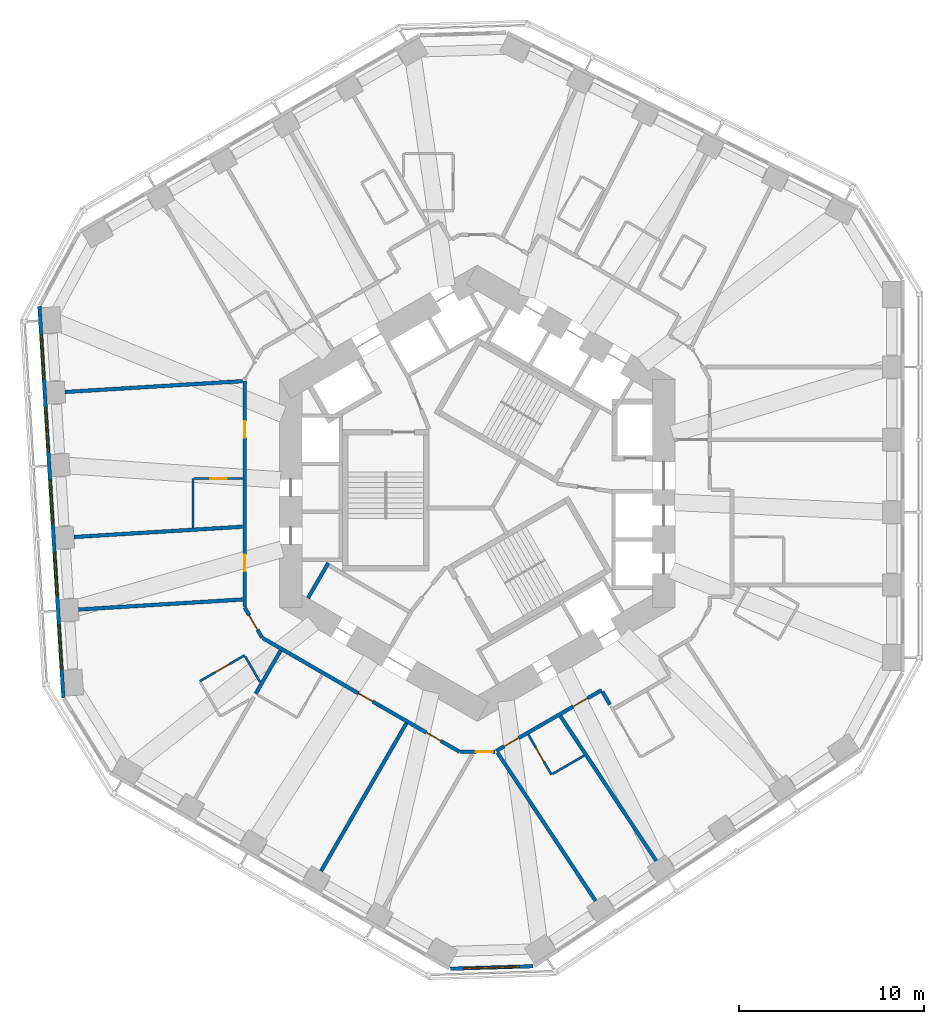
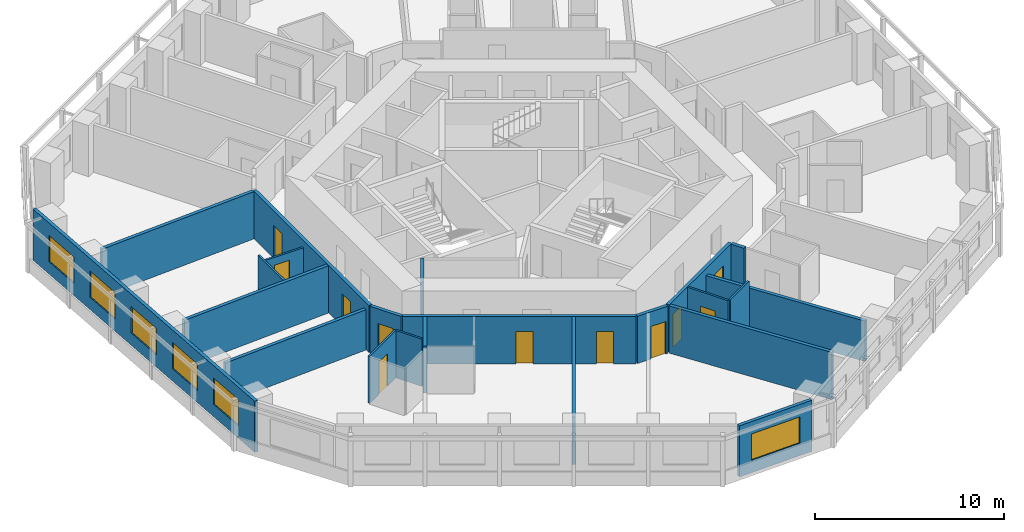
# One storey, part 4 of 12: 22 walls, 11 doors, 6 windows, 17 openings.
"""IFC4 building model written with IfcOpenShell, lengths in metres."""

from ifc_helpers import new_model, si_unit, direction, frame, frame_2d, origin, place, context, subcontext, project, spatial, rectangle, extrude, material, layer, layer_set, type_object, element, fill, save


model = new_model("IFC4")

# Units and contexts
model_context = context("Model", 3, precision=1e-05, world=origin(), true_north=direction((0.0, 1.0)))
body_context = subcontext(model_context, "Body", "Model", "MODEL_VIEW")
ifc_project = project(units=[si_unit("LENGTHUNIT", "METRE"), si_unit("AREAUNIT", "SQUARE_METRE"), si_unit("VOLUMEUNIT", "CUBIC_METRE"), si_unit("PLANEANGLEUNIT", "RADIAN"), si_unit("MASSUNIT", "GRAM", prefix="KILO")], contexts=[model_context])

# Site, building, storey
site_placement = place(None, origin())
site = spatial("IfcSite", under=ifc_project, at=site_placement, CompositionType="ELEMENT")
building_placement = place(site_placement, origin())
building = spatial("IfcBuilding", under=site, at=building_placement, Name="Vanh Sen Convention Tower", CompositionType="ELEMENT")
storey_placement = place(building_placement, frame((0.0, 0.0, 63.800048828125)))
storey = spatial("IfcBuildingStorey", under=building, at=storey_placement, Name="L13", CompositionType="ELEMENT", Elevation=63.800048828125)

# Wall
ifc_material_1 = material(Name="Moisture-resistant gypsum board on steel studs", Category="steel")
ifc_layer_1 = layer(ifc_material_1, 0.1201171875)
ifc_layer_set_1 = layer_set([ifc_layer_1], Name="Moisture-resistant gypsum board on steel studs")
wall_type_1 = type_object("IfcWallType", Name="Bathroom partition 120", PredefinedType="PARTITIONING", material=ifc_layer_set_1)
wall_1_placement = place(storey_placement, frame((-15.39990234375, -1.873779296875, 0.0), z_axis=(0.0, 0.0, 1.0), x_axis=(0.0, 1.0, 0.0)))
element("IfcWall", 1, at=wall_1_placement, inside=storey, type_object=wall_type_1, Name="Bathroom partition 120", PredefinedType="PARTITIONING", context=body_context, shape_type="SweptSolid", body=[
    extrude(rectangle(XDim=2.671142578125, YDim=0.1201171875, at=frame_2d((1.33544921875, 0.0))), origin(), (0.0, 0.0, 1.0), 3.050048828125),
])

# Wall, opening, door
wall_2_placement = place(storey_placement, frame((-15.340087890625, 0.79736328125, 0.0), z_axis=(0.0, 0.0, 1.0), x_axis=(1.0, 0.0, 0.0)))
wall_2 = element("IfcWall", 2, at=wall_2_placement, inside=storey, type_object=wall_type_1, Name="Bathroom partition 120", PredefinedType="PARTITIONING", context=body_context, shape_type="SweptSolid", body=[
    extrude(rectangle(XDim=2.64013671875, YDim=0.1201171875, at=frame_2d((1.320068359375, 0.0))), origin(), (0.0, 0.0, 1.0), 2.599853515625),
])
opening_1_placement = place(wall_2_placement, frame((0.8701171875, 0.0, 0.0)))
opening_1 = element("IfcOpeningElement", 3, at=opening_1_placement, cuts=wall_2, Name="Opening D13120", PredefinedType="OPENING", context=body_context, shape_type="SweptSolid", body=[
    extrude(rectangle(XDim=0.89990234375, YDim=2.10009765625, at=frame_2d((0.449951171875, 1.050048828125))), frame((0.0, 0.070068359375, 0.0), z_axis=(0.0, -1.0, 0.0), x_axis=(1.0, 0.0, 0.0)), (0.0, 0.0, 1.0), 0.14013671875),
])
ifc_material_2 = material(Name="Laminate door in steel frame", Category="steel")
door_type_1 = type_object("IfcDoorType", Name="En-suite door 900", OperationType="SINGLE_SWING_LEFT", PredefinedType="DOOR", material=ifc_material_2)
door_1_placement = place(opening_1_placement, origin())
door_1 = element("IfcDoor", 4, at=door_1_placement, inside=storey, type_object=door_type_1, Name="En-suite door D13120", OperationType="SINGLE_SWING_LEFT", OverallHeight=2.10009765625, OverallWidth=0.89990234375, PredefinedType="DOOR", context=body_context, shape_type="SweptSolid", body=[
    extrude(rectangle(XDim=0.89990234375, YDim=2.10009765625, at=frame_2d((0.449951171875, 1.050048828125))), frame((0.0, 0.02490234375, 0.0), z_axis=(0.0, -1.0, 0.0), x_axis=(1.0, 0.0, 0.0)), (0.0, 0.0, 1.0), 0.050048828125),
])
fill(opening_1, door_1)

wall_3_placement = place(storey_placement, frame((-15.025634765625, -10.17626953125, 0.0), z_axis=(0.0, 0.0, 1.0), x_axis=(0.865996816683, 0.500049511043, 0.0)))
wall_3 = element("IfcWall", 5, at=wall_3_placement, inside=storey, type_object=wall_type_1, Name="Bathroom partition 120", PredefinedType="PARTITIONING", context=body_context, shape_type="SweptSolid", body=[
    extrude(rectangle(XDim=2.800048828125, YDim=0.1201171875, at=frame_2d((1.39990234375, 0.0))), origin(), (0.0, 0.0, 1.0), 3.050048828125),
])
opening_2_placement = place(wall_3_placement, frame((0.949951171875, 0.0, 0.0)))
opening_2 = element("IfcOpeningElement", 6, at=opening_2_placement, cuts=wall_3, Name="Opening D13123", PredefinedType="OPENING", context=body_context, shape_type="SweptSolid", body=[
    extrude(rectangle(XDim=0.89990234375, YDim=2.10009765625, at=frame_2d((0.449951171875, 1.050048828125))), frame((0.0, 0.070068359375, 0.0), z_axis=(0.0, -1.0, 0.0), x_axis=(1.0, 0.0, 0.0)), (0.0, 0.0, 1.0), 0.14013671875),
])
door_2_placement = place(opening_2_placement, origin())
door_2 = element("IfcDoor", 7, at=door_2_placement, inside=storey, type_object=door_type_1, Name="En-suite door D13123", OperationType="SINGLE_SWING_LEFT", OverallHeight=2.10009765625, OverallWidth=0.89990234375, PredefinedType="DOOR", context=body_context, shape_type="SweptSolid", body=[
    extrude(rectangle(XDim=0.89990234375, YDim=2.10009765625, at=frame_2d((0.449951171875, 1.050048828125))), frame((0.0, 0.02490234375, 0.0), z_axis=(0.0, -1.0, 0.0), x_axis=(1.0, 0.0, 0.0)), (0.0, 0.0, 1.0), 0.050048828125),
])
fill(opening_2, door_2)

# Wall
wall_4_placement = place(storey_placement, frame((-12.57080078125, -8.828125, 0.0), z_axis=(0.0, 0.0, 1.0), x_axis=(0.499960029081, -0.866048479775, 0.0)))
element("IfcWall", 8, at=wall_4_placement, inside=storey, type_object=wall_type_1, Name="Bathroom partition 120", PredefinedType="PARTITIONING", context=body_context, shape_type="SweptSolid", body=[
    extrude(rectangle(XDim=1.601318359375, YDim=0.1201171875, at=frame_2d((0.80078125, 0.0))), origin(), (0.0, 0.0, 1.0), 3.050048828125),
])

# Wall, opening, door
wall_5_placement = place(storey_placement, frame((4.01513671875, -15.2333984375, 0.0), z_axis=(0.0, 0.0, 1.0), x_axis=(-0.499961950354, 0.866047370643, 0.0)))
wall_5 = element("IfcWall", 9, at=wall_5_placement, inside=storey, type_object=wall_type_1, Name="Bathroom partition 120", PredefinedType="PARTITIONING", context=body_context, shape_type="SweptSolid", body=[
    extrude(rectangle(XDim=2.500244140625, YDim=0.1201171875, at=frame_2d((1.25, 0.0))), origin(), (0.0, 0.0, 1.0), 3.050048828125),
])
opening_3_placement = place(wall_5_placement, frame((0.800048828125, 0.0, 0.0)))
opening_3 = element("IfcOpeningElement", 10, at=opening_3_placement, cuts=wall_5, Name="Opening D13129", PredefinedType="OPENING", context=body_context, shape_type="SweptSolid", body=[
    extrude(rectangle(XDim=0.89990234375, YDim=2.10009765625, at=frame_2d((0.449951171875, 1.050048828125))), frame((0.0, 0.070068359375, 0.0), z_axis=(0.0, -1.0, 0.0), x_axis=(1.0, 0.0, 0.0)), (0.0, 0.0, 1.0), 0.14013671875),
])
door_3_placement = place(opening_3_placement, origin())
door_3 = element("IfcDoor", 11, at=door_3_placement, inside=storey, type_object=door_type_1, Name="En-suite door D13129", OperationType="SINGLE_SWING_LEFT", OverallHeight=2.10009765625, OverallWidth=0.89990234375, PredefinedType="DOOR", context=body_context, shape_type="SweptSolid", body=[
    extrude(rectangle(XDim=0.89990234375, YDim=2.10009765625, at=frame_2d((0.449951171875, 1.050048828125))), frame((0.0, 0.02490234375, 0.0), z_axis=(0.0, -1.0, 0.0), x_axis=(1.0, 0.0, 0.0)), (0.0, 0.0, 1.0), 0.050048828125),
])
fill(opening_3, door_3)

# Wall
wall_6_placement = place(storey_placement, frame((5.79833984375, -14.20361328125, 0.0), z_axis=(0.0, 0.0, 1.0), x_axis=(-0.865972029493, -0.500092435591, 0.0)))
element("IfcWall", 12, at=wall_6_placement, inside=storey, type_object=wall_type_1, Name="Bathroom partition 120", PredefinedType="PARTITIONING", context=body_context, shape_type="SweptSolid", body=[
    extrude(rectangle(XDim=1.9990234375, YDim=0.1201171875, at=frame_2d((0.99951171875, 0.0))), origin(), (0.0, 0.0, 1.0), 3.050048828125),
])

# Wall, opening, door
ifc_material_3 = material(Name="Gypsum board on steel studs with mineral wool", Category="steel")
ifc_layer_2 = layer(ifc_material_3, 0.199951171875)
ifc_layer_set_2 = layer_set([ifc_layer_2], Name="Gypsum board on steel studs with mineral wool")
wall_type_2 = type_object("IfcWallType", Name="Corridor partition wall 200", PredefinedType="PARTITIONING", material=ifc_layer_set_2)
wall_7_placement = place(storey_placement, frame((-12.60009765625, -6.177490234375, 0.0), z_axis=(0.0, 0.0, 1.0), x_axis=(0.500063520245, -0.865988727248, 0.0)))
wall_7 = element("IfcWall", 13, at=wall_7_placement, inside=storey, type_object=wall_type_2, Name="Corridor partition wall 200", PredefinedType="PARTITIONING", context=body_context, shape_type="SweptSolid", body=[
    extrude(rectangle(XDim=1.900146484375, YDim=0.199951171875, at=frame_2d((0.9501953125, 0.0))), origin(), (0.0, 0.0, 1.0), 3.050048828125),
])
opening_4_placement = place(wall_7_placement, frame((0.5, 0.0, 0.0)))
opening_4 = element("IfcOpeningElement", 14, at=opening_4_placement, cuts=wall_7, Name="Opening D13122", PredefinedType="OPENING", context=body_context, shape_type="SweptSolid", body=[
    extrude(rectangle(XDim=0.89990234375, YDim=2.10009765625, at=frame_2d((0.449951171875, 1.050048828125))), frame((0.0, 0.10986328125, 0.0), z_axis=(0.0, -1.0, 0.0), x_axis=(1.0, 0.0, 0.0)), (0.0, 0.0, 1.0), 0.219970703125),
])
ifc_material_4 = material(Name="Timber fire door in steel frame", Category="steel")
door_type_2 = type_object("IfcDoorType", Name="Guest room door 900", OperationType="SINGLE_SWING_LEFT", PredefinedType="DOOR", material=ifc_material_4)
door_4_placement = place(opening_4_placement, origin())
door_4 = element("IfcDoor", 15, at=door_4_placement, inside=storey, type_object=door_type_2, Name="Hotel guest room door D13122", OperationType="SINGLE_SWING_LEFT", OverallHeight=2.10009765625, OverallWidth=0.89990234375, PredefinedType="DOOR", context=body_context, shape_type="SweptSolid", body=[
    extrude(rectangle(XDim=0.89990234375, YDim=2.10009765625, at=frame_2d((0.449951171875, 1.050048828125))), frame((0.0, 0.02490234375, 0.0), z_axis=(0.0, -1.0, 0.0), x_axis=(1.0, 0.0, 0.0)), (0.0, 0.0, 1.0), 0.050048828125),
])
fill(opening_4, door_4)

# Wall, openings, doors
wall_8_placement = place(storey_placement, frame((-12.60009765625, 6.081298828125, 0.0), z_axis=(0.0, 0.0, 1.0), x_axis=(0.0, -1.0, 0.0)))
wall_8 = element("IfcWall", 16, at=wall_8_placement, inside=storey, type_object=wall_type_2, Name="Corridor partition wall 200", PredefinedType="PARTITIONING", context=body_context, shape_type="SweptSolid", body=[
    extrude(rectangle(XDim=12.218994140625, YDim=0.199951171875, at=frame_2d((6.109375, 0.0))), origin(), (0.0, 0.0, 1.0), 3.050048828125),
])
opening_5_placement = place(wall_8_placement, frame((2.1669921875, 0.0, 0.0)))
opening_5 = element("IfcOpeningElement", 17, at=opening_5_placement, cuts=wall_8, Name="Opening D13119", PredefinedType="OPENING", context=body_context, shape_type="SweptSolid", body=[
    extrude(rectangle(XDim=0.89990234375, YDim=2.10009765625, at=frame_2d((0.449951171875, 1.050048828125))), frame((0.0, 0.10986328125, 0.0), z_axis=(0.0, -1.0, 0.0), x_axis=(1.0, 0.0, 0.0)), (0.0, 0.0, 1.0), 0.219970703125),
])
opening_6_placement = place(wall_8_placement, frame((9.40478515625, 0.0, 0.0)))
opening_6 = element("IfcOpeningElement", 18, at=opening_6_placement, cuts=wall_8, Name="Opening D13121", PredefinedType="OPENING", context=body_context, shape_type="SweptSolid", body=[
    extrude(rectangle(XDim=0.89990234375, YDim=2.10009765625, at=frame_2d((0.449951171875, 1.050048828125))), frame((0.0, 0.10986328125, 0.0), z_axis=(0.0, -1.0, 0.0), x_axis=(1.0, 0.0, 0.0)), (0.0, 0.0, 1.0), 0.219970703125),
])
door_type_3 = type_object("IfcDoorType", Name="Floor service door 900", OperationType="SINGLE_SWING_LEFT", PredefinedType="DOOR", material=ifc_material_4)
door_5_placement = place(opening_6_placement, origin())
door_5 = element("IfcDoor", 19, at=door_5_placement, inside=storey, type_object=door_type_3, Name="Service room door D13121", OperationType="SINGLE_SWING_LEFT", OverallHeight=2.10009765625, OverallWidth=0.89990234375, PredefinedType="DOOR", context=body_context, shape_type="SweptSolid", body=[
    extrude(rectangle(XDim=0.89990234375, YDim=2.10009765625, at=frame_2d((0.449951171875, 1.050048828125))), frame((0.0, 0.02490234375, 0.0), z_axis=(0.0, -1.0, 0.0), x_axis=(1.0, 0.0, 0.0)), (0.0, 0.0, 1.0), 0.050048828125),
])
fill(opening_6, door_5)
door_6_placement = place(opening_5_placement, origin())
door_6 = element("IfcDoor", 20, at=door_6_placement, inside=storey, type_object=door_type_2, Name="Hotel guest room door D13119", OperationType="SINGLE_SWING_LEFT", OverallHeight=2.10009765625, OverallWidth=0.89990234375, PredefinedType="DOOR", context=body_context, shape_type="SweptSolid", body=[
    extrude(rectangle(XDim=0.89990234375, YDim=2.10009765625, at=frame_2d((0.449951171875, 1.050048828125))), frame((0.0, 0.02490234375, 0.0), z_axis=(0.0, -1.0, 0.0), x_axis=(1.0, 0.0, 0.0)), (0.0, 0.0, 1.0), 0.050048828125),
])
fill(opening_5, door_6)

wall_9_placement = place(storey_placement, frame((-11.615478515625, -7.843017578125, 0.0), z_axis=(0.0, 0.0, 1.0), x_axis=(0.866026466995, -0.499998158461, 0.0)))
wall_9 = element("IfcWall", 21, at=wall_9_placement, inside=storey, type_object=wall_type_2, Name="Corridor partition wall 200", PredefinedType="PARTITIONING", context=body_context, shape_type="SweptSolid", body=[
    extrude(rectangle(XDim=12.3154296875, YDim=0.199951171875, at=frame_2d((6.15771484375, 0.0))), origin(), (0.0, 0.0, 1.0), 3.050048828125),
])
opening_7_placement = place(wall_9_placement, frame((5.982666015625, 0.0, 0.0)))
opening_7 = element("IfcOpeningElement", 22, at=opening_7_placement, cuts=wall_9, Name="Opening D13124", PredefinedType="OPENING", context=body_context, shape_type="SweptSolid", body=[
    extrude(rectangle(XDim=0.89990234375, YDim=2.10009765625, at=frame_2d((0.449951171875, 1.050048828125))), frame((0.0, 0.10986328125, 0.0), z_axis=(0.0, -1.0, 0.0), x_axis=(1.0, 0.0, 0.0)), (0.0, 0.0, 1.0), 0.219970703125),
])
opening_8_placement = place(wall_9_placement, frame((10.228759765625, 0.0, 0.0)))
opening_8 = element("IfcOpeningElement", 23, at=opening_8_placement, cuts=wall_9, Name="Opening D13126", PredefinedType="OPENING", context=body_context, shape_type="SweptSolid", body=[
    extrude(rectangle(XDim=0.89990234375, YDim=2.10009765625, at=frame_2d((0.449951171875, 1.050048828125))), frame((0.0, 0.10986328125, 0.0), z_axis=(0.0, -1.0, 0.0), x_axis=(1.0, 0.0, 0.0)), (0.0, 0.0, 1.0), 0.219970703125),
])
door_7_placement = place(opening_8_placement, origin())
door_7 = element("IfcDoor", 24, at=door_7_placement, inside=storey, type_object=door_type_3, Name="Service room door D13126", OperationType="SINGLE_SWING_LEFT", OverallHeight=2.10009765625, OverallWidth=0.89990234375, PredefinedType="DOOR", context=body_context, shape_type="SweptSolid", body=[
    extrude(rectangle(XDim=0.89990234375, YDim=2.10009765625, at=frame_2d((0.449951171875, 1.050048828125))), frame((0.0, 0.02490234375, 0.0), z_axis=(0.0, -1.0, 0.0), x_axis=(1.0, 0.0, 0.0)), (0.0, 0.0, 1.0), 0.050048828125),
])
fill(opening_8, door_7)
door_8_placement = place(opening_7_placement, origin())
door_8 = element("IfcDoor", 25, at=door_8_placement, inside=storey, type_object=door_type_2, Name="Hotel guest room door D13124", OperationType="SINGLE_SWING_LEFT", OverallHeight=2.10009765625, OverallWidth=0.89990234375, PredefinedType="DOOR", context=body_context, shape_type="SweptSolid", body=[
    extrude(rectangle(XDim=0.89990234375, YDim=2.10009765625, at=frame_2d((0.449951171875, 1.050048828125))), frame((0.0, 0.02490234375, 0.0), z_axis=(0.0, -1.0, 0.0), x_axis=(1.0, 0.0, 0.0)), (0.0, 0.0, 1.0), 0.050048828125),
])
fill(opening_7, door_8)

# Wall, opening, door
wall_10_placement = place(storey_placement, frame((-0.909912109375, -14.000732421875, 0.0), z_axis=(0.0, 0.0, 1.0), x_axis=(1.0, 0.0, 0.0)))
wall_10 = element("IfcWall", 26, at=wall_10_placement, inside=storey, type_object=wall_type_2, Name="Corridor partition wall 200", PredefinedType="PARTITIONING", context=body_context, shape_type="SweptSolid", body=[
    extrude(rectangle(XDim=1.85986328125, YDim=0.199951171875, at=frame_2d((0.929931640625, 0.0))), origin(), (0.0, 0.0, 1.0), 3.050048828125),
])
opening_9_placement = place(wall_10_placement, frame((0.841796875, 0.0, 0.0)))
opening_9 = element("IfcOpeningElement", 27, at=opening_9_placement, cuts=wall_10, Name="Opening D13127", PredefinedType="OPENING", context=body_context, shape_type="SweptSolid", body=[
    extrude(rectangle(XDim=0.89990234375, YDim=2.10009765625, at=frame_2d((0.449951171875, 1.050048828125))), frame((0.0, 0.10986328125, 0.0), z_axis=(0.0, -1.0, 0.0), x_axis=(1.0, 0.0, 0.0)), (0.0, 0.0, 1.0), 0.219970703125),
])
door_type_4 = type_object("IfcDoorType", Name="Floor room door 900", OperationType="SINGLE_SWING_LEFT", PredefinedType="DOOR", material=ifc_material_4)
door_9_placement = place(opening_9_placement, origin())
door_9 = element("IfcDoor", 28, at=door_9_placement, inside=storey, type_object=door_type_4, Name="Meeting and amenity room door D13127", OperationType="SINGLE_SWING_LEFT", OverallHeight=2.10009765625, OverallWidth=0.89990234375, PredefinedType="DOOR", context=body_context, shape_type="SweptSolid", body=[
    extrude(rectangle(XDim=0.89990234375, YDim=2.10009765625, at=frame_2d((0.449951171875, 1.050048828125))), frame((0.0, 0.02490234375, 0.0), z_axis=(0.0, -1.0, 0.0), x_axis=(1.0, 0.0, 0.0)), (0.0, 0.0, 1.0), 0.050048828125),
])
fill(opening_9, door_9)

# Wall, openings, doors
wall_11_placement = place(storey_placement, frame((1.033447265625, -13.95263671875, 0.0), z_axis=(0.0, 0.0, 1.0), x_axis=(0.866017531406, 0.500013635111, 0.0)))
wall_11 = element("IfcWall", 29, at=wall_11_placement, inside=storey, type_object=wall_type_2, Name="Corridor partition wall 200", PredefinedType="PARTITIONING", context=body_context, shape_type="SweptSolid", body=[
    extrude(rectangle(XDim=6.580322265625, YDim=0.199951171875, at=frame_2d((3.2900390625, 0.0))), origin(), (0.0, 0.0, 1.0), 3.050048828125),
])
opening_10_placement = place(wall_11_placement, frame((0.495849609375, 0.0, 0.0)))
opening_10 = element("IfcOpeningElement", 30, at=opening_10_placement, cuts=wall_11, Name="Opening D13128", PredefinedType="OPENING", context=body_context, shape_type="SweptSolid", body=[
    extrude(rectangle(XDim=0.89990234375, YDim=2.10009765625, at=frame_2d((0.449951171875, 1.050048828125))), frame((0.0, 0.10986328125, 0.0), z_axis=(0.0, -1.0, 0.0), x_axis=(1.0, 0.0, 0.0)), (0.0, 0.0, 1.0), 0.219970703125),
])
opening_11_placement = place(wall_11_placement, frame((4.81103515625, 0.0, 0.0)))
opening_11 = element("IfcOpeningElement", 31, at=opening_11_placement, cuts=wall_11, Name="Opening D13130", PredefinedType="OPENING", context=body_context, shape_type="SweptSolid", body=[
    extrude(rectangle(XDim=0.89990234375, YDim=2.10009765625, at=frame_2d((0.449951171875, 1.050048828125))), frame((0.0, 0.10986328125, 0.0), z_axis=(0.0, -1.0, 0.0), x_axis=(1.0, 0.0, 0.0)), (0.0, 0.0, 1.0), 0.219970703125),
])
door_10_placement = place(opening_10_placement, origin())
door_10 = element("IfcDoor", 32, at=door_10_placement, inside=storey, type_object=door_type_2, Name="Hotel guest room door D13128", OperationType="SINGLE_SWING_LEFT", OverallHeight=2.10009765625, OverallWidth=0.89990234375, PredefinedType="DOOR", context=body_context, shape_type="SweptSolid", body=[
    extrude(rectangle(XDim=0.89990234375, YDim=2.10009765625, at=frame_2d((0.449951171875, 1.050048828125))), frame((0.0, 0.02490234375, 0.0), z_axis=(0.0, -1.0, 0.0), x_axis=(1.0, 0.0, 0.0)), (0.0, 0.0, 1.0), 0.050048828125),
])
fill(opening_10, door_10)
door_11_placement = place(opening_11_placement, origin())
door_11 = element("IfcDoor", 33, at=door_11_placement, inside=storey, type_object=door_type_2, Name="Hotel guest room door D13130", OperationType="SINGLE_SWING_LEFT", OverallHeight=2.10009765625, OverallWidth=0.89990234375, PredefinedType="DOOR", context=body_context, shape_type="SweptSolid", body=[
    extrude(rectangle(XDim=0.89990234375, YDim=2.10009765625, at=frame_2d((0.449951171875, 1.050048828125))), frame((0.0, 0.02490234375, 0.0), z_axis=(0.0, -1.0, 0.0), x_axis=(1.0, 0.0, 0.0)), (0.0, 0.0, 1.0), 0.050048828125),
])
fill(opening_11, door_11)

# Wall
wall_12_placement = place(storey_placement, frame((6.781982421875, -10.7490234375, 0.0), z_axis=(0.0, 0.0, 1.0), x_axis=(0.500170954823, -0.865926680471, 0.0)))
element("IfcWall", 34, at=wall_12_placement, inside=storey, type_object=wall_type_2, Name="Corridor partition wall 200", PredefinedType="PARTITIONING", context=body_context, shape_type="SweptSolid", body=[
    extrude(rectangle(XDim=0.801025390625, YDim=0.199951171875, at=frame_2d((0.400390625, 0.0))), origin(), (0.0, 0.0, 1.0), 3.050048828125),
])

# Wall, openings, windows
ifc_material_5 = material(Name="Insulated lightweight infill wall")
ifc_layer_3 = layer(ifc_material_5, 0.199951171875)
ifc_layer_set_3 = layer_set([ifc_layer_3], Name="Insulated lightweight infill wall")
wall_type_3 = type_object("IfcWallType", Name="External wall 200", PredefinedType="STANDARD", material=ifc_layer_set_3)
wall_13_placement = place(storey_placement, frame((-23.712646484375, 10.130859375, 0.0), z_axis=(0.0, 0.0, 1.0), x_axis=(0.061040439785, -0.998135293791, 0.0)))
wall_13 = element("IfcWall", 35, at=wall_13_placement, inside=storey, type_object=wall_type_3, Name="External wall W L13", PredefinedType="STANDARD", context=body_context, shape_type="SweptSolid", body=[
    extrude(rectangle(XDim=21.24609375, YDim=0.199951171875, at=frame_2d((10.623046875, 0.0))), origin(), (0.0, 0.0, 1.0), 3.300048828125),
])
opening_12_placement = place(wall_13_placement, frame((1.552978515625, 0.0, 0.800048828125)))
opening_12 = element("IfcOpeningElement", 36, at=opening_12_placement, cuts=wall_13, Name="Opening WH1-W1", PredefinedType="OPENING", context=body_context, shape_type="SweptSolid", body=[
    extrude(rectangle(XDim=2.39990234375, YDim=1.699951171875, at=frame_2d((1.199951171875, 0.85009765625))), frame((0.0, 0.10986328125, 0.0), z_axis=(0.0, -1.0, 0.0), x_axis=(1.0, 0.0, 0.0)), (0.0, 0.0, 1.0), 0.219970703125),
])
opening_13_placement = place(wall_13_placement, frame((5.48779296875, 0.0, 0.800048828125)))
opening_13 = element("IfcOpeningElement", 37, at=opening_13_placement, cuts=wall_13, Name="Opening WH1-W2", PredefinedType="OPENING", context=body_context, shape_type="SweptSolid", body=[
    extrude(rectangle(XDim=2.39990234375, YDim=1.699951171875, at=frame_2d((1.199951171875, 0.85009765625))), frame((0.0, 0.10986328125, 0.0), z_axis=(0.0, -1.0, 0.0), x_axis=(1.0, 0.0, 0.0)), (0.0, 0.0, 1.0), 0.219970703125),
])
opening_14_placement = place(wall_13_placement, frame((9.42236328125, 0.0, 0.800048828125)))
opening_14 = element("IfcOpeningElement", 38, at=opening_14_placement, cuts=wall_13, Name="Opening WH1-W3", PredefinedType="OPENING", context=body_context, shape_type="SweptSolid", body=[
    extrude(rectangle(XDim=2.39990234375, YDim=1.699951171875, at=frame_2d((1.199951171875, 0.85009765625))), frame((0.0, 0.10986328125, 0.0), z_axis=(0.0, -1.0, 0.0), x_axis=(1.0, 0.0, 0.0)), (0.0, 0.0, 1.0), 0.219970703125),
])
opening_15_placement = place(wall_13_placement, frame((13.35693359375, 0.0, 0.800048828125)))
opening_15 = element("IfcOpeningElement", 39, at=opening_15_placement, cuts=wall_13, Name="Opening WH1-W4", PredefinedType="OPENING", context=body_context, shape_type="SweptSolid", body=[
    extrude(rectangle(XDim=2.39990234375, YDim=1.699951171875, at=frame_2d((1.199951171875, 0.85009765625))), frame((0.0, 0.10986328125, 0.0), z_axis=(0.0, -1.0, 0.0), x_axis=(1.0, 0.0, 0.0)), (0.0, 0.0, 1.0), 0.219970703125),
])
opening_16_placement = place(wall_13_placement, frame((17.29150390625, 0.0, 0.800048828125)))
opening_16 = element("IfcOpeningElement", 40, at=opening_16_placement, cuts=wall_13, Name="Opening WH1-W5", PredefinedType="OPENING", context=body_context, shape_type="SweptSolid", body=[
    extrude(rectangle(XDim=2.39990234375, YDim=1.699951171875, at=frame_2d((1.199951171875, 0.85009765625))), frame((0.0, 0.10986328125, 0.0), z_axis=(0.0, -1.0, 0.0), x_axis=(1.0, 0.0, 0.0)), (0.0, 0.0, 1.0), 0.219970703125),
])
ifc_material_6 = material(Name="Aluminium frame with clear low-emissivity glass", Category="aluminium")
window_type_1 = type_object("IfcWindowType", Name="Hotel window 2400 x 1700", PartitioningType="SINGLE_PANEL", PredefinedType="WINDOW", material=ifc_material_6)
window_1_placement = place(opening_12_placement, origin())
window_1 = element("IfcWindow", 41, at=window_1_placement, inside=storey, type_object=window_type_1, Name="Window WH1-W1", OverallHeight=1.699951171875, OverallWidth=2.39990234375, PartitioningType="SINGLE_PANEL", PredefinedType="WINDOW", context=body_context, shape_type="SweptSolid", body=[
    extrude(rectangle(XDim=2.39990234375, YDim=1.699951171875, at=frame_2d((1.199951171875, 0.85009765625))), frame((0.0, 0.030029296875, 0.0), z_axis=(0.0, -1.0, 0.0), x_axis=(1.0, 0.0, 0.0)), (0.0, 0.0, 1.0), 0.06005859375),
])
fill(opening_12, window_1)
window_2_placement = place(opening_13_placement, origin())
window_2 = element("IfcWindow", 42, at=window_2_placement, inside=storey, type_object=window_type_1, Name="Window WH1-W2", OverallHeight=1.699951171875, OverallWidth=2.39990234375, PartitioningType="SINGLE_PANEL", PredefinedType="WINDOW", context=body_context, shape_type="SweptSolid", body=[
    extrude(rectangle(XDim=2.39990234375, YDim=1.699951171875, at=frame_2d((1.199951171875, 0.85009765625))), frame((0.0, 0.030029296875, 0.0), z_axis=(0.0, -1.0, 0.0), x_axis=(1.0, 0.0, 0.0)), (0.0, 0.0, 1.0), 0.06005859375),
])
fill(opening_13, window_2)
window_3_placement = place(opening_14_placement, origin())
window_3 = element("IfcWindow", 43, at=window_3_placement, inside=storey, type_object=window_type_1, Name="Window WH1-W3", OverallHeight=1.699951171875, OverallWidth=2.39990234375, PartitioningType="SINGLE_PANEL", PredefinedType="WINDOW", context=body_context, shape_type="SweptSolid", body=[
    extrude(rectangle(XDim=2.39990234375, YDim=1.699951171875, at=frame_2d((1.199951171875, 0.85009765625))), frame((0.0, 0.030029296875, 0.0), z_axis=(0.0, -1.0, 0.0), x_axis=(1.0, 0.0, 0.0)), (0.0, 0.0, 1.0), 0.06005859375),
])
fill(opening_14, window_3)
window_4_placement = place(opening_15_placement, origin())
window_4 = element("IfcWindow", 44, at=window_4_placement, inside=storey, type_object=window_type_1, Name="Window WH1-W4", OverallHeight=1.699951171875, OverallWidth=2.39990234375, PartitioningType="SINGLE_PANEL", PredefinedType="WINDOW", context=body_context, shape_type="SweptSolid", body=[
    extrude(rectangle(XDim=2.39990234375, YDim=1.699951171875, at=frame_2d((1.199951171875, 0.85009765625))), frame((0.0, 0.030029296875, 0.0), z_axis=(0.0, -1.0, 0.0), x_axis=(1.0, 0.0, 0.0)), (0.0, 0.0, 1.0), 0.06005859375),
])
fill(opening_15, window_4)
window_5_placement = place(opening_16_placement, origin())
window_5 = element("IfcWindow", 45, at=window_5_placement, inside=storey, type_object=window_type_1, Name="Window WH1-W5", OverallHeight=1.699951171875, OverallWidth=2.39990234375, PartitioningType="SINGLE_PANEL", PredefinedType="WINDOW", context=body_context, shape_type="SweptSolid", body=[
    extrude(rectangle(XDim=2.39990234375, YDim=1.699951171875, at=frame_2d((1.199951171875, 0.85009765625))), frame((0.0, 0.030029296875, 0.0), z_axis=(0.0, -1.0, 0.0), x_axis=(1.0, 0.0, 0.0)), (0.0, 0.0, 1.0), 0.06005859375),
])
fill(opening_16, window_5)

# Wall, opening, window
wall_14_placement = place(storey_placement, frame((-1.461181640625, -25.7548828125, 0.0), z_axis=(0.0, 0.0, 1.0), x_axis=(0.999533823446, 0.030530898895, 0.0)))
wall_14 = element("IfcWall", 46, at=wall_14_placement, inside=storey, type_object=wall_type_3, Name="External wall CH5 L13", PredefinedType="STANDARD", context=body_context, shape_type="SweptSolid", body=[
    extrude(rectangle(XDim=4.494140625, YDim=0.199951171875, at=frame_2d((2.2470703125, 0.0))), origin(), (0.0, 0.0, 1.0), 3.300048828125),
])
opening_17_placement = place(wall_14_placement, frame((0.7470703125, 0.0, 0.800048828125)))
opening_17 = element("IfcOpeningElement", 47, at=opening_17_placement, cuts=wall_14, Name="Opening WH2-CH51", PredefinedType="OPENING", context=body_context, shape_type="SweptSolid", body=[
    extrude(rectangle(XDim=3.0, YDim=1.699951171875, at=frame_2d((1.5, 0.85009765625))), frame((0.0, 0.10986328125, 0.0), z_axis=(0.0, -1.0, 0.0), x_axis=(1.0, 0.0, 0.0)), (0.0, 0.0, 1.0), 0.219970703125),
])
window_type_2 = type_object("IfcWindowType", Name="Hotel window 3000 x 1700", PartitioningType="SINGLE_PANEL", PredefinedType="WINDOW", material=ifc_material_6)
window_6_placement = place(opening_17_placement, origin())
window_6 = element("IfcWindow", 48, at=window_6_placement, inside=storey, type_object=window_type_2, Name="Window WH2-CH51", OverallHeight=1.699951171875, OverallWidth=3.0, PartitioningType="SINGLE_PANEL", PredefinedType="WINDOW", context=body_context, shape_type="SweptSolid", body=[
    extrude(rectangle(XDim=3.0, YDim=1.699951171875, at=frame_2d((1.5, 0.85009765625))), frame((0.0, 0.030029296875, 0.0), z_axis=(0.0, -1.0, 0.0), x_axis=(1.0, 0.0, 0.0)), (0.0, 0.0, 1.0), 0.06005859375),
])
fill(opening_17, window_6)

# Walls
ifc_layer_4 = layer(ifc_material_3, 0.199951171875)
ifc_layer_set_4 = layer_set([ifc_layer_4], Name="Gypsum board on steel studs with mineral wool")
wall_type_4 = type_object("IfcWallType", Name="Hotel party wall 200", PredefinedType="PARTITIONING", material=ifc_layer_set_4)
wall_15_placement = place(storey_placement, frame((-22.32666015625, 5.486328125, 0.0), z_axis=(0.0, 0.0, 1.0), x_axis=(0.998135194863, 0.061042057435, 0.0)))
element("IfcWall", 49, at=wall_15_placement, inside=storey, type_object=wall_type_4, Name="Hotel party wall 200", PredefinedType="PARTITIONING", context=body_context, shape_type="SweptSolid", body=[
    extrude(rectangle(XDim=9.635009765625, YDim=0.199951171875, at=frame_2d((4.8173828125, 0.0))), origin(), (0.0, 0.0, 1.0), 3.050048828125),
])
wall_16_placement = place(storey_placement, frame((-21.84619140625, -2.3681640625, 0.0), z_axis=(0.0, 0.0, 1.0), x_axis=(0.998134617584, 0.061051496129, 0.0)))
element("IfcWall", 50, at=wall_16_placement, inside=storey, type_object=wall_type_4, Name="Hotel party wall 200", PredefinedType="PARTITIONING", context=body_context, shape_type="SweptSolid", body=[
    extrude(rectangle(XDim=9.153564453125, YDim=0.199951171875, at=frame_2d((4.57666015625, 0.0))), origin(), (0.0, 0.0, 1.0), 3.050048828125),
])
wall_17_placement = place(storey_placement, frame((-21.60595703125, -6.29541015625, 0.0), z_axis=(0.0, 0.0, 1.0), x_axis=(0.998134305525, 0.061056597794, 0.0)))
element("IfcWall", 51, at=wall_17_placement, inside=storey, type_object=wall_type_4, Name="Hotel party wall 200", PredefinedType="PARTITIONING", context=body_context, shape_type="SweptSolid", body=[
    extrude(rectangle(XDim=8.912841796875, YDim=0.199951171875, at=frame_2d((4.45654296875, 0.0))), origin(), (0.0, 0.0, 1.0), 2.599853515625),
])
wall_18_placement = place(storey_placement, frame((-11.99951171875, -10.8544921875, 0.0), z_axis=(0.0, 0.0, 1.0), x_axis=(0.50000943426, 0.866019956843, 0.0)))
element("IfcWall", 52, at=wall_18_placement, inside=storey, type_object=wall_type_4, Name="Hotel party wall 200", PredefinedType="PARTITIONING", context=body_context, shape_type="SweptSolid", body=[
    extrude(rectangle(XDim=2.7001953125, YDim=0.199951171875, at=frame_2d((1.35009765625, 0.0))), origin(), (0.0, 0.0, 1.0), 3.050048828125),
])
wall_19_placement = place(storey_placement, frame((-8.459716796875, -20.46142578125, 0.0), z_axis=(0.0, 0.0, 1.0), x_axis=(0.499999662836, 0.866025598446, 0.0)))
element("IfcWall", 53, at=wall_19_placement, inside=storey, type_object=wall_type_4, Name="Hotel party wall 200", PredefinedType="PARTITIONING", context=body_context, shape_type="SweptSolid", body=[
    extrude(rectangle(XDim=9.25, YDim=0.199951171875, at=frame_2d((4.625, 0.0))), origin(), (0.0, 0.0, 1.0), 3.050048828125),
])
wall_20_placement = place(storey_placement, frame((6.411865234375, -22.07861328125, 0.0), z_axis=(0.0, 0.0, 1.0), x_axis=(-0.551919507115, 0.83389739037, 0.0)))
element("IfcWall", 54, at=wall_20_placement, inside=storey, type_object=wall_type_4, Name="Hotel party wall 200", PredefinedType="PARTITIONING", context=body_context, shape_type="SweptSolid", body=[
    extrude(rectangle(XDim=9.634765625, YDim=0.199951171875, at=frame_2d((4.8173828125, 0.0))), origin(), (0.0, 0.0, 1.0), 3.050048828125),
])
wall_21_placement = place(storey_placement, frame((9.69287109375, -19.906982421875, 0.0), z_axis=(0.0, 0.0, 1.0), x_axis=(-0.551938394837, 0.833884889121, 0.0)))
element("IfcWall", 55, at=wall_21_placement, inside=storey, type_object=wall_type_4, Name="Hotel party wall 200", PredefinedType="PARTITIONING", context=body_context, shape_type="SweptSolid", body=[
    extrude(rectangle(XDim=9.394287109375, YDim=0.199951171875, at=frame_2d((4.697265625, 0.0))), origin(), (0.0, 0.0, 1.0), 2.599853515625),
])
ifc_material_7 = material(Name="Concrete C40/50", Category="concrete")
ifc_layer_5 = layer(ifc_material_7, 0.199951171875)
ifc_layer_set_5 = layer_set([ifc_layer_5], Name="Concrete C40/50")
wall_type_5 = type_object("IfcWallType", Name="Lift shaft wall 200", PredefinedType="PARTITIONING", material=ifc_layer_set_5)
wall_22_placement = place(storey_placement, frame((-8.066650390625, -3.77197265625, 0.0), z_axis=(0.0, 0.0, 1.0), x_axis=(-0.50002983664, -0.866008176907, 0.0)))
element("IfcWall", 56, at=wall_22_placement, inside=storey, type_object=wall_type_5, Name="Lift shaft wall L13", PredefinedType="PARTITIONING", context=body_context, shape_type="SweptSolid", body=[
    extrude(rectangle(XDim=2.199951171875, YDim=0.199951171875, at=frame_2d((1.10009765625, 0.0))), origin(), (0.0, 0.0, 1.0), 3.050048828125),
])

save(model, "model.ifc")
